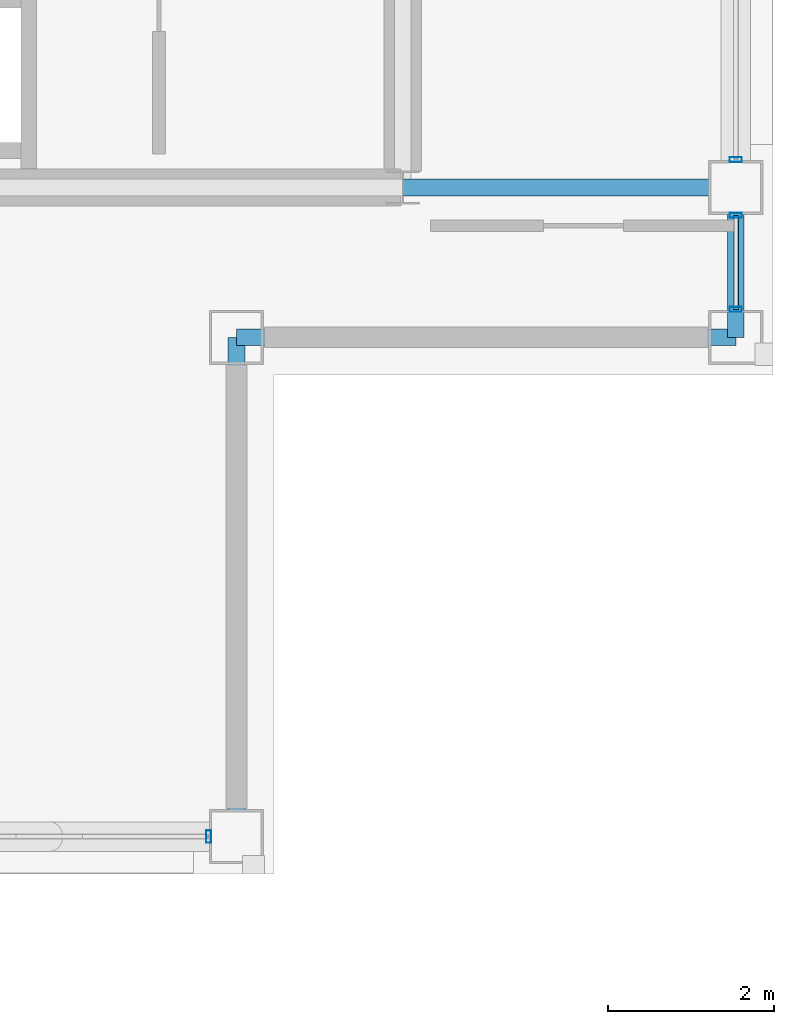
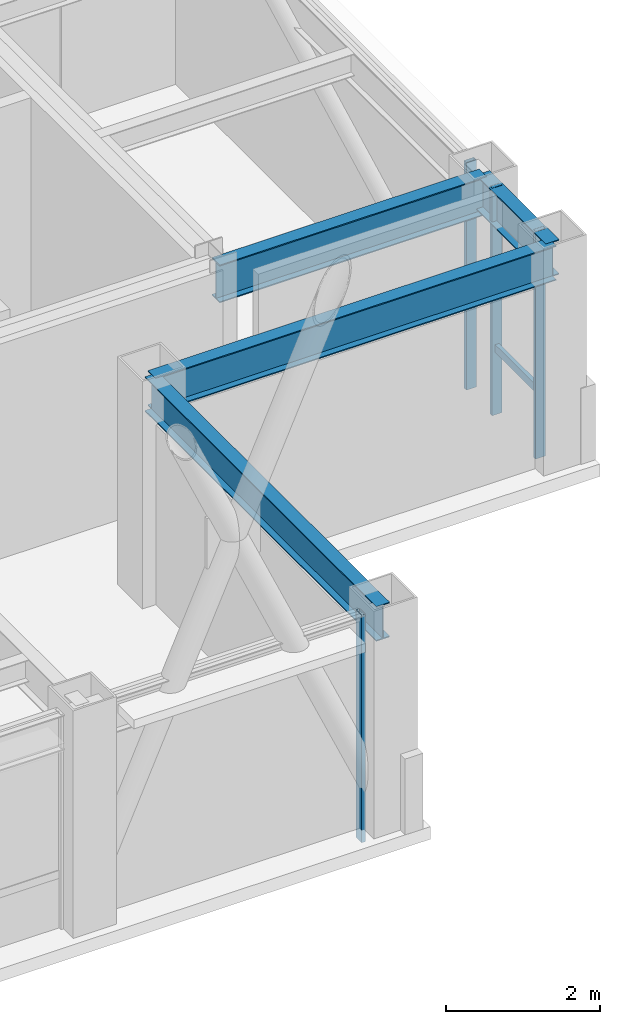
# One storey, part 13 of 26: 5 members, 4 beams, 3 elements without a shape of their own.
"""IFC4 building model written with IfcOpenShell, lengths in metres."""

from ifc_helpers import new_model, si_unit, direction, frame, origin, origin_2d, place, context, subcontext, project, spatial, hollow_rectangle, i_section, extrude, material, layer, layer_set, material_profile, profile_set, type_object, element, aggregate, save


model = new_model("IFC4")

# Units and contexts
model_context = context("Model", 3, precision=1e-05, world=origin(), true_north=direction((0.0, 1.0)))
body_context = subcontext(model_context, "Body", "Model", "MODEL_VIEW")
ifc_project = project(units=[si_unit("LENGTHUNIT", "METRE"), si_unit("AREAUNIT", "SQUARE_METRE"), si_unit("VOLUMEUNIT", "CUBIC_METRE"), si_unit("PLANEANGLEUNIT", "RADIAN"), si_unit("MASSUNIT", "GRAM", prefix="KILO")], contexts=[model_context])

# Site, building, storey
site_placement = place(None, origin())
site = spatial("IfcSite", under=ifc_project, at=site_placement, CompositionType="ELEMENT")
building_placement = place(site_placement, origin())
building = spatial("IfcBuilding", under=site, at=building_placement, Name="Brelmoor Portico Tower", CompositionType="ELEMENT")
storey_placement = place(building_placement, frame((0.0, 0.0, 247.199951171875)))
storey = spatial("IfcBuildingStorey", under=building, at=storey_placement, Name="L65", CompositionType="ELEMENT", Elevation=247.199951171875)

# Beams
ifc_material_1 = material(Name="Steel Q355B", Category="steel")
ifc_material_profile_1 = material_profile(ifc_material_1, i_section(OverallWidth=0.199951171875, OverallDepth=0.60009765625, WebThickness=0.010986328125, FlangeThickness=0.01708984375, at=origin_2d()), Name="HN 600x200x11x17")
ifc_profile_set_1 = profile_set([ifc_material_profile_1], Name="Steel Q355B")
beam_type_1 = type_object("IfcBeamType", Name="BM-PG-600", PredefinedType="BEAM", material=ifc_profile_set_1)
beam_1_placement = place(storey_placement, frame((14.550048828125, -9.75, 3.10009765625), z_axis=(1.0, 0.0, 0.0), x_axis=(0.0, 1.0, 0.0)))
element("IfcBeam", 1, at=beam_1_placement, inside=storey, type_object=beam_type_1, Name="L65 Primary Floor Girder PG-15", PredefinedType="BEAM", context=body_context, shape_type="SweptSolid", body=[
    extrude(i_section(OverallWidth=0.199951171875, OverallDepth=0.60009765625, WebThickness=0.010986328125, FlangeThickness=0.01708984375, at=origin_2d()), origin(), (0.0, 0.0, 1.0), 4.0),
])
ifc_material_profile_2 = material_profile(ifc_material_1, i_section(OverallWidth=0.199951171875, OverallDepth=0.550048828125, WebThickness=0.010009765625, FlangeThickness=0.01611328125, at=origin_2d()), Name="HN 550x200x10x16")
ifc_profile_set_2 = profile_set([ifc_material_profile_2], Name="Steel Q355B")
beam_type_2 = type_object("IfcBeamType", Name="BM-SP-550", PredefinedType="SPANDREL", material=ifc_profile_set_2)
for number, where, z_axis, x_axis, name in (
    (2, (12.550048828125, -11.550048828125, 3.125), (1.0, 0.0, 0.0), (0.0, 1.0, 0.0), "L65 Perimeter Spandrel Beam SP-05"),
    (3, (12.550048828125, -17.550048828125, 3.125), (0.0, 1.0, 0.0), (-1.0, 0.0, 0.0), "L65 Perimeter Spandrel Beam SP-16"),
):
    element("IfcBeam", number, at=place(storey_placement, frame(where, z_axis=z_axis, x_axis=x_axis)), inside=storey, type_object=beam_type_2, Name=name, PredefinedType="SPANDREL", context=body_context, shape_type="SweptSolid", body=[
        extrude(i_section(OverallWidth=0.199951171875, OverallDepth=0.550048828125, WebThickness=0.010009765625, FlangeThickness=0.01611328125, at=origin_2d()), origin(), (0.0, 0.0, 1.0), 6.0),
    ])
beam_2_placement = place(storey_placement, frame((18.550048828125, -11.550048828125, 3.125), z_axis=(0.0, 1.0, 0.0), x_axis=(-1.0, 0.0, 0.0)))
element("IfcBeam", 4, at=beam_2_placement, inside=storey, type_object=beam_type_2, Name="L65 Perimeter Spandrel Beam SP-18", PredefinedType="SPANDREL", context=body_context, shape_type="SweptSolid", body=[
    extrude(i_section(OverallWidth=0.199951171875, OverallDepth=0.550048828125, WebThickness=0.010009765625, FlangeThickness=0.01611328125, at=origin_2d()), origin(), (0.0, 0.0, 1.0), 1.800048828125),
])

# Curtain wall, member
ifc_material_2 = material(Name="Anodised Aluminium Alloy 6063-T6", Category="aluminium")
ifc_layer_1 = layer(ifc_material_2, 0.179931640625)
ifc_layer_set_1 = layer_set([ifc_layer_1], Name="Anodised Aluminium Alloy 6063-T6")
curtain_wall_type_1 = type_object("IfcCurtainWallType", Name="CW-TOWER-Z4-XB", PredefinedType="NOTDEFINED", material=ifc_layer_set_1)
curtain_wall_1_placement = place(storey_placement, origin())
curtain_wall_1 = element("IfcCurtainWall", 5, at=curtain_wall_1_placement, inside=storey, type_object=curtain_wall_type_1, Name="L65 Curtain Wall CW-L65-1R-2", PredefinedType="NOTDEFINED")
ifc_material_profile_3 = material_profile(ifc_material_2, hollow_rectangle(XDim=0.06005859375, YDim=0.14990234375, WallThickness=0.00390625, at=origin_2d()), Name="ALU MULLION 60x150")
ifc_profile_set_3 = profile_set([ifc_material_profile_3], Name="Anodised Aluminium Alloy 6063-T6")
member_type_1 = type_object("IfcMemberType", Name="MB-CW-MULL-150", PredefinedType="MULLION", material=ifc_profile_set_3)
member_1_placement = place(storey_placement, frame((12.215087890625, -17.550048828125, -0.199951171875), z_axis=(0.0, 0.0, 1.0), x_axis=(1.0, 0.0, 0.0)))
member_1 = element("IfcMember", 6, at=member_1_placement, type_object=member_type_1, Name="CW-L65-1R-2 Mullion 01", PredefinedType="MULLION", context=body_context, shape_type="SweptSolid", body=[
    extrude(hollow_rectangle(XDim=0.06005859375, YDim=0.14990234375, WallThickness=0.00390625, at=origin_2d()), origin(), (0.0, 0.0, 1.0), 3.60009765625),
])
aggregate(curtain_wall_1, [member_1])

# Curtain wall, members
ifc_layer_2 = layer(ifc_material_2, 0.179931640625)
ifc_layer_set_2 = layer_set([ifc_layer_2], Name="Anodised Aluminium Alloy 6063-T6")
curtain_wall_type_2 = type_object("IfcCurtainWallType", Name="CW-TOWER-Z4", PredefinedType="NOTDEFINED", material=ifc_layer_set_2)
curtain_wall_2_placement = place(storey_placement, origin())
curtain_wall_2 = element("IfcCurtainWall", 7, at=curtain_wall_2_placement, inside=storey, type_object=curtain_wall_type_2, Name="L65 Curtain Wall CW-L65-04-1", PredefinedType="NOTDEFINED")
member_2_placement = place(storey_placement, frame((18.550048828125, -11.215087890625, -0.199951171875), z_axis=(0.0, 0.0, 1.0), x_axis=(0.0, 1.0, 0.0)))
member_2 = element("IfcMember", 8, at=member_2_placement, type_object=member_type_1, Name="CW-L65-04-1 Mullion 00", PredefinedType="MULLION", context=body_context, shape_type="SweptSolid", body=[
    extrude(hollow_rectangle(XDim=0.06005859375, YDim=0.14990234375, WallThickness=0.00390625, at=origin_2d()), origin(), (0.0, 0.0, 1.0), 3.60009765625),
])
member_3_placement = place(storey_placement, frame((18.550048828125, -10.0849609375, -0.199951171875), z_axis=(0.0, 0.0, 1.0), x_axis=(0.0, 1.0, 0.0)))
member_3 = element("IfcMember", 9, at=member_3_placement, type_object=member_type_1, Name="CW-L65-04-1 Mullion 01", PredefinedType="MULLION", context=body_context, shape_type="SweptSolid", body=[
    extrude(hollow_rectangle(XDim=0.06005859375, YDim=0.14990234375, WallThickness=0.00390625, at=origin_2d()), origin(), (0.0, 0.0, 1.0), 3.60009765625),
])

# Curtain wall, member
curtain_wall_3_placement = place(storey_placement, origin())
curtain_wall_3 = element("IfcCurtainWall", 10, at=curtain_wall_3_placement, inside=storey, type_object=curtain_wall_type_1, Name="L65 Curtain Wall CW-L65-04-2", PredefinedType="NOTDEFINED")
member_4_placement = place(storey_placement, frame((18.550048828125, -9.4150390625, -0.199951171875), z_axis=(0.0, 0.0, 1.0), x_axis=(0.0, 1.0, 0.0)))
member_4 = element("IfcMember", 11, at=member_4_placement, type_object=member_type_1, Name="CW-L65-04-2 Mullion 00", PredefinedType="MULLION", context=body_context, shape_type="SweptSolid", body=[
    extrude(hollow_rectangle(XDim=0.06005859375, YDim=0.14990234375, WallThickness=0.00390625, at=origin_2d()), origin(), (0.0, 0.0, 1.0), 3.60009765625),
])
aggregate(curtain_wall_3, [member_4])

# Member
ifc_material_profile_4 = material_profile(ifc_material_2, hollow_rectangle(XDim=0.06005859375, YDim=0.125, WallThickness=0.00341796875, at=origin_2d()), Name="ALU TRANSOM 60x125")
ifc_profile_set_4 = profile_set([ifc_material_profile_4], Name="Anodised Aluminium Alloy 6063-T6")
member_type_2 = type_object("IfcMemberType", Name="MB-CW-TRAN-125", PredefinedType="USERDEFINED", material=ifc_profile_set_4)
member_5_placement = place(storey_placement, frame((18.550048828125, -11.215087890625, 0.85009765625), z_axis=(0.0, 1.0, 0.0), x_axis=(-1.0, 0.0, 0.0)))
member_5 = element("IfcMember", 12, at=member_5_placement, type_object=member_type_2, Name="CW-L65-04-1 Transom 1-00", ObjectType="TRANSOM", PredefinedType="USERDEFINED", context=body_context, shape_type="SweptSolid", body=[
    extrude(hollow_rectangle(XDim=0.06005859375, YDim=0.125, WallThickness=0.00341796875, at=origin_2d()), origin(), (0.0, 0.0, 1.0), 1.130126953125),
])

aggregate(curtain_wall_2, [member_2, member_3, member_5])

save(model, "model.ifc")
